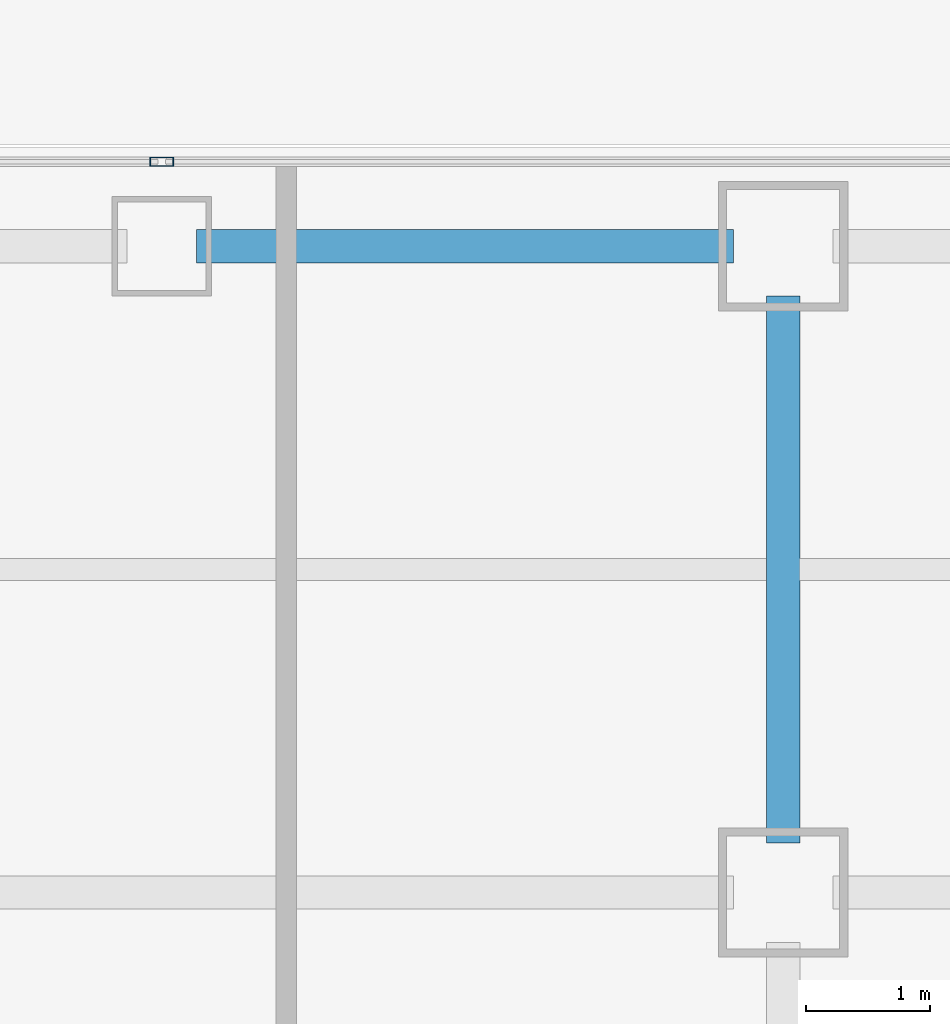
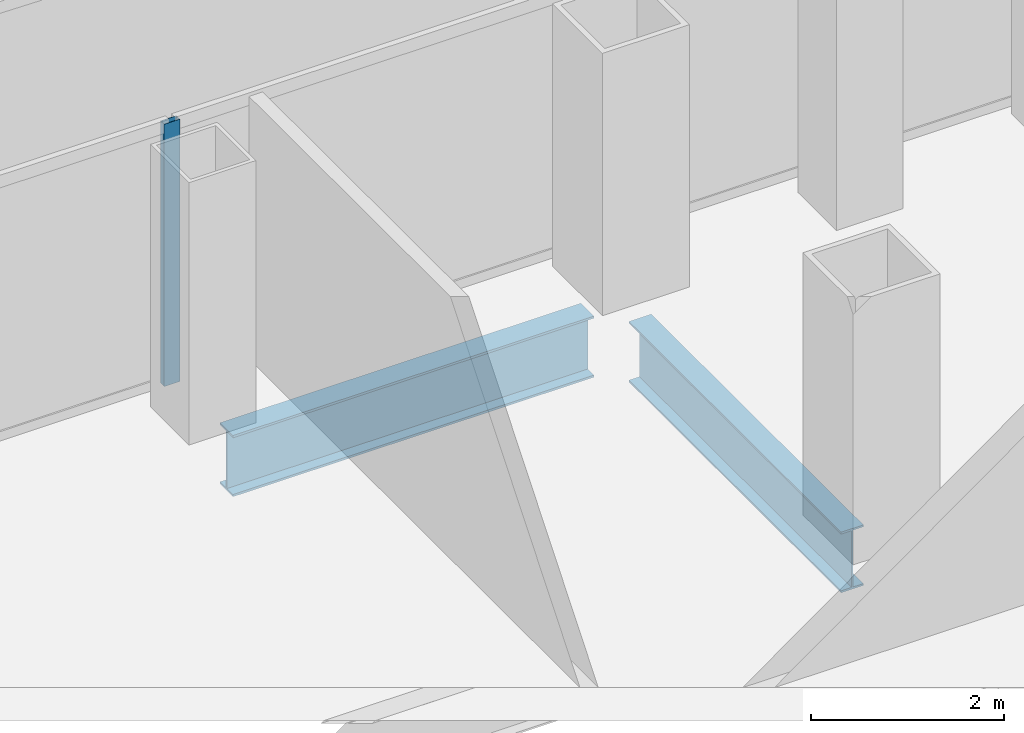
# One storey, part 13 of 21: 2 beams, 1 member, 1 element without a shape of its own.
"""IFC4 building model written with IfcOpenShell, lengths in metres."""

from ifc_helpers import new_model, si_unit, direction, frame, origin, origin_2d, place, context, subcontext, project, spatial, hollow_rectangle, i_section, extrude, source, transform, mapped, material, layer, layer_set, material_profile, profile_set, type_object, element, aggregate, save


model = new_model("IFC4")

# Units and contexts
model_context = context("Model", 3, precision=1e-05, world=origin(), true_north=direction((0.0, 1.0)))
body_context = subcontext(model_context, "Body", "Model", "MODEL_VIEW")
ifc_project = project(units=[si_unit("LENGTHUNIT", "METRE"), si_unit("AREAUNIT", "SQUARE_METRE"), si_unit("VOLUMEUNIT", "CUBIC_METRE"), si_unit("PLANEANGLEUNIT", "RADIAN"), si_unit("MASSUNIT", "GRAM", prefix="KILO")], contexts=[model_context])

# Site, building, storey
site_placement = place(None, origin())
site = spatial("IfcSite", under=ifc_project, at=site_placement, CompositionType="ELEMENT")
building_placement = place(site_placement, origin())
building = spatial("IfcBuilding", under=site, at=building_placement, Name="Kolveth Station Tower", CompositionType="ELEMENT")
storey_placement = place(building_placement, frame((0.0, 0.0, 62.10009765625)))
storey = spatial("IfcBuildingStorey", under=building, at=storey_placement, Name="L16", CompositionType="ELEMENT", Elevation=62.10009765625)

# Beams
ifc_material_1 = material(Name="Steel S355", Category="steel")
ifc_material_profile_1 = material_profile(ifc_material_1, i_section(OverallWidth=0.26904296875, OverallDepth=0.77490234375, WebThickness=0.01708984375, FlangeThickness=0.0283203125, at=origin_2d()), Name="W760x220")
ifc_profile_set_1 = profile_set([ifc_material_profile_1], Name="Steel S355")
beam_type_1 = type_object("IfcBeamType", Name="Beam_SP1", PredefinedType="SPANDREL", material=ifc_profile_set_1)
shared_shape_1 = source(origin(), body_context, "Body", "SweptSolid", [
    extrude(i_section(OverallWidth=0.26904296875, OverallDepth=0.77490234375, WebThickness=0.01708984375, FlangeThickness=0.0283203125, at=origin_2d()), origin(), (0.0, 0.0, 1.0), 4.320068359375),
])
beam_1_placement = place(storey_placement, frame((23.780029296875, 39.699951171875, -0.66748046875), z_axis=(1.0, 0.0, 0.0), x_axis=(0.0, 1.0, 0.0)))
element("IfcBeam", 1, at=beam_1_placement, inside=storey, type_object=beam_type_1, Name="L16 Perimeter Spandrel BM-L16-PN-6", PredefinedType="SPANDREL", context=body_context, shape_type="MappedRepresentation", body=[
    mapped(shared_shape_1, transform((0.0, 0.0, 0.0), x_axis=(1.0, 0.0, 0.0), y_axis=(0.0, 1.0, 0.0), z_axis=(0.0, 0.0, 1.0), scale=1.0)),
])
ifc_material_profile_2 = material_profile(ifc_material_1, i_section(OverallWidth=0.26708984375, OverallDepth=0.76611328125, WebThickness=0.014892578125, FlangeThickness=0.023681640625, at=origin_2d()), Name="W760x185")
ifc_profile_set_2 = profile_set([ifc_material_profile_2], Name="Steel S355")
beam_type_2 = type_object("IfcBeamType", Name="Beam_B3", PredefinedType="BEAM", material=ifc_profile_set_2)
shared_shape_2 = source(origin(), body_context, "Body", "SweptSolid", [
    extrude(i_section(OverallWidth=0.26708984375, OverallDepth=0.76611328125, WebThickness=0.014892578125, FlangeThickness=0.023681640625, at=origin_2d()), origin(), (0.0, 0.0, 1.0), 4.400146484375),
])
beam_2_placement = place(storey_placement, frame((28.5, 34.89990234375, -0.6630859375), z_axis=(0.0, 1.0, 0.0), x_axis=(-1.0, 0.0, 0.0)))
element("IfcBeam", 2, at=beam_2_placement, inside=storey, type_object=beam_type_2, Name="L16 Primary Girder BM-L16-GX285-7", PredefinedType="BEAM", context=body_context, shape_type="MappedRepresentation", body=[
    mapped(shared_shape_2, transform((0.0, 0.0, 0.0), x_axis=(1.0, 0.0, 0.0), y_axis=(0.0, 1.0, 0.0), z_axis=(0.0, 0.0, 1.0), scale=1.0)),
])

# Curtain wall, member
ifc_material_2 = material(Name="Aluminium 6063-T6 and low-E dark glass", Category="aluminium")
ifc_layer = layer(ifc_material_2, 0.179931640625)
ifc_layer_set = layer_set([ifc_layer], Name="Aluminium 6063-T6 and low-E dark glass")
curtain_wall_type = type_object("IfcCurtainWallType", Name="CurtainWall_CW-Z1", PredefinedType="NOTDEFINED", material=ifc_layer_set)
curtain_wall_placement = place(storey_placement, origin())
curtain_wall = element("IfcCurtainWall", 3, at=curtain_wall_placement, inside=storey, type_object=curtain_wall_type, Name="L16 Inner Thermal Curtain Wall 6", PredefinedType="NOTDEFINED")
ifc_material_3 = material(Name="Black anodized aluminium 6063-T6", Category="aluminium")
ifc_material_profile_3 = material_profile(ifc_material_3, hollow_rectangle(XDim=0.074951171875, YDim=0.18994140625, WallThickness=0.0048828125, at=origin_2d()), Name="ALU-75x190x5")
ifc_profile_set_3 = profile_set([ifc_material_profile_3], Name="Black anodized aluminium 6063-T6")
member_type = type_object("IfcMemberType", Name="Mullion_ML1", PredefinedType="MULLION", material=ifc_profile_set_3)
shared_shape_3 = source(origin(), body_context, "Body", "SweptSolid", [
    extrude(hollow_rectangle(XDim=0.074951171875, YDim=0.18994140625, WallThickness=0.0048828125, at=origin_2d()), origin(), (0.0, 0.0, 1.0), 3.31982421875),
])
member_placement = place(storey_placement, frame((23.5, 40.3798828125, 0.0), z_axis=(0.0, 0.0, 1.0), x_axis=(0.0, -1.0, 0.0)))
member = element("IfcMember", 4, at=member_placement, type_object=member_type, Name="CW-Z1 mullion 2", PredefinedType="MULLION", context=body_context, shape_type="MappedRepresentation", body=[
    mapped(shared_shape_3, transform((0.0, 0.0, 0.0), x_axis=(1.0, 0.0, 0.0), y_axis=(0.0, 1.0, 0.0), z_axis=(0.0, 0.0, 1.0), scale=1.0)),
])
aggregate(curtain_wall, [member])

save(model, "model.ifc")
